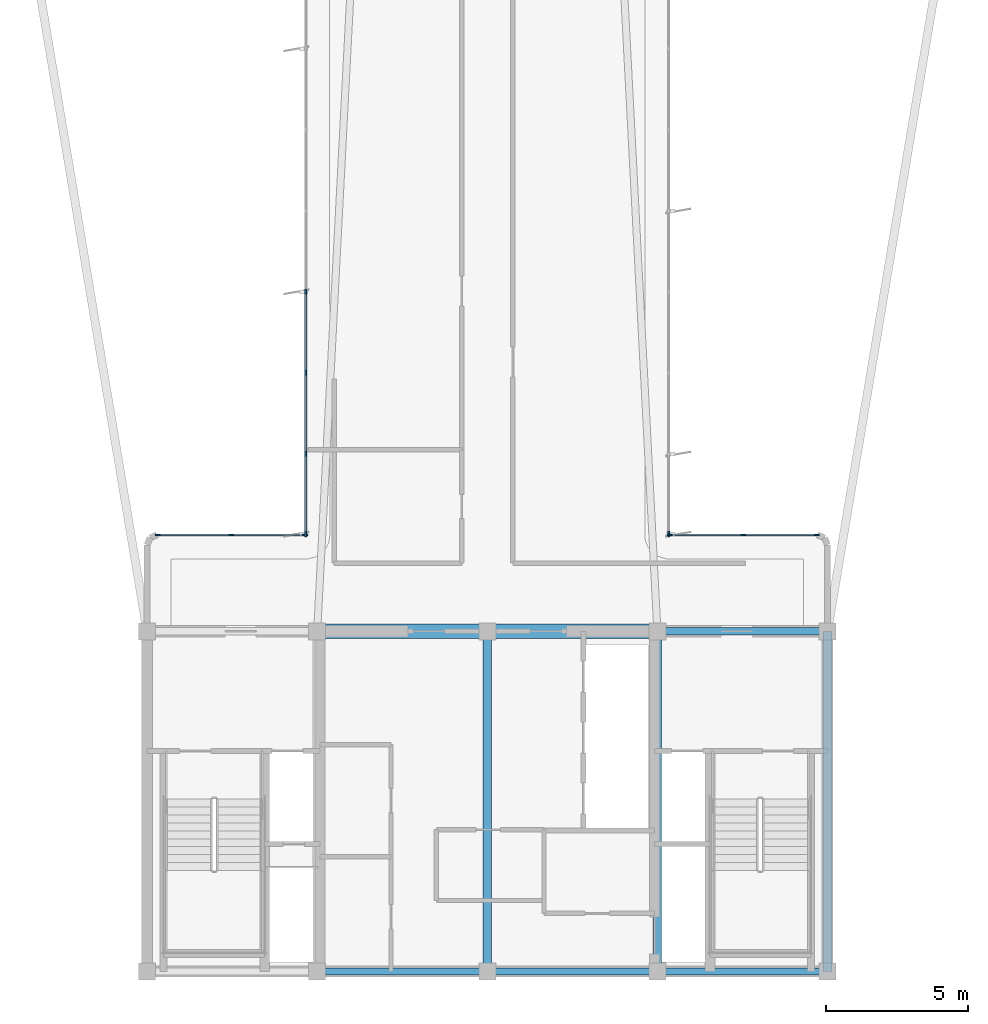
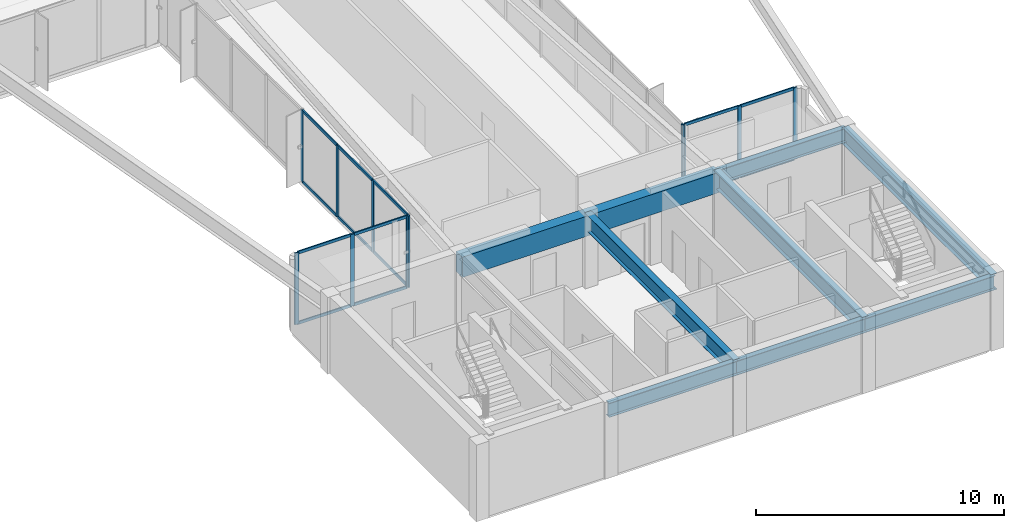
# One storey, part 2 of 15: 25 members, 8 beams, 4 elements without a shape of their own.
"""IFC4 building model written with IfcOpenShell, lengths in metres."""

from ifc_helpers import new_model, si_unit, direction, frame, origin, origin_2d, place, context, subcontext, project, spatial, rectangle, i_section, extrude, source, transform, mapped, material, layer, layer_set, material_profile, profile_set, type_object, element, aggregate, save


model = new_model("IFC4")

# Units and contexts
model_context = context("Model", 3, precision=1e-05, world=origin(), true_north=direction((0.0, 1.0)))
body_context = subcontext(model_context, "Body", "Model", "MODEL_VIEW")
ifc_project = project(units=[si_unit("LENGTHUNIT", "METRE"), si_unit("AREAUNIT", "SQUARE_METRE"), si_unit("VOLUMEUNIT", "CUBIC_METRE"), si_unit("PLANEANGLEUNIT", "RADIAN"), si_unit("MASSUNIT", "GRAM", prefix="KILO")], contexts=[model_context])

# Site, building, storey
site_placement = place(None, origin())
site = spatial("IfcSite", under=ifc_project, at=site_placement, CompositionType="ELEMENT")
building_placement = place(site_placement, origin())
building = spatial("IfcBuilding", under=site, at=building_placement, Name="Brelvock Crest Care Tower", CompositionType="ELEMENT")
storey_placement = place(building_placement, frame((0.0, 0.0, 279.719970703125)))
storey = spatial("IfcBuildingStorey", under=building, at=storey_placement, Name="L71", CompositionType="ELEMENT", Elevation=279.719970703125)

# Beams
ifc_material_1 = material(Name="Steel Grade 350", Category="steel")
ifc_material_profile_1 = material_profile(ifc_material_1, i_section(OverallWidth=0.25, OverallDepth=0.699951171875, WebThickness=0.011962890625, FlangeThickness=0.02001953125, at=origin_2d()), Name="700WB150")
ifc_profile_set_1 = profile_set([ifc_material_profile_1], Name="Steel Grade 350")
beam_type_1 = type_object("IfcBeamType", Name="BM-G4", PredefinedType="BEAM", material=ifc_profile_set_1)
shared_shape_1 = source(origin(), body_context, "Body", "SweptSolid", [
    extrude(i_section(OverallWidth=0.25, OverallDepth=0.699951171875, WebThickness=0.011962890625, FlangeThickness=0.02001953125, at=origin_2d()), origin(), (0.0, 0.0, 1.0), 6.0),
])
for number, where, z_axis, x_axis, name in (
    (1, (30.0, 6.0, 3.179931640625), (1.0, 0.0, 0.0), (0.0, 1.0, 0.0), "BM-CORES-L71-2"),
    (2, (36.0, 6.0, 3.179931640625), (1.0, 0.0, 0.0), (0.0, 1.0, 0.0), "BM-CORES-L71-3"),
    (3, (42.0, 6.0, 3.179931640625), (1.0, 0.0, 0.0), (0.0, 1.0, 0.0), "BM-CORES-L71-4"),
    (4, (42.0, 18.0, 3.179931640625), (1.0, 0.0, 0.0), (0.0, 1.0, 0.0), "BM-COREN-L71-4"),
):
    element("IfcBeam", number, at=place(storey_placement, frame(where, z_axis=z_axis, x_axis=x_axis)), inside=storey, type_object=beam_type_1, Name=name, PredefinedType="BEAM", context=body_context, shape_type="MappedRepresentation", body=[
        mapped(shared_shape_1, transform((0.0, 0.0, 0.0), x_axis=(1.0, 0.0, 0.0), y_axis=(0.0, 1.0, 0.0), z_axis=(0.0, 0.0, 1.0), scale=1.0)),
    ])
ifc_material_profile_2 = material_profile(ifc_material_1, i_section(OverallWidth=0.300048828125, OverallDepth=0.800048828125, WebThickness=0.013916015625, FlangeThickness=0.02197265625, at=origin_2d()), Name="800WB192")
ifc_profile_set_2 = profile_set([ifc_material_profile_2], Name="Steel Grade 350")
beam_type_2 = type_object("IfcBeamType", Name="BM-G5", PredefinedType="BEAM", material=ifc_profile_set_2)
shared_shape_2 = source(origin(), body_context, "Body", "SweptSolid", [
    extrude(i_section(OverallWidth=0.300048828125, OverallDepth=0.800048828125, WebThickness=0.013916015625, FlangeThickness=0.02197265625, at=origin_2d()), origin(), (0.0, 0.0, 1.0), 12.0),
])
for number, where, z_axis, x_axis, name in (
    (5, (36.0, 6.0, 3.130126953125), (0.0, 1.0, 0.0), (-1.0, 0.0, 0.0), "BM-COREX-L71-3"),
    (6, (42.0, 6.0, 3.130126953125), (0.0, 1.0, 0.0), (-1.0, 0.0, 0.0), "BM-COREX-L71-4"),
    (7, (48.0, 6.0, 3.130126953125), (0.0, 1.0, 0.0), (-1.0, 0.0, 0.0), "BM-COREX-L71-5"),
):
    element("IfcBeam", number, at=place(storey_placement, frame(where, z_axis=z_axis, x_axis=x_axis)), inside=storey, type_object=beam_type_2, Name=name, PredefinedType="BEAM", context=body_context, shape_type="MappedRepresentation", body=[
        mapped(shared_shape_2, transform((0.0, 0.0, 0.0), x_axis=(1.0, 0.0, 0.0), y_axis=(0.0, 1.0, 0.0), z_axis=(0.0, 0.0, 1.0), scale=1.0)),
    ])
ifc_material_2 = material(Name="Concrete S65 (65 MPa)", Category="concrete")
ifc_material_profile_3 = material_profile(ifc_material_2, rectangle(XDim=0.5, YDim=1.0, at=origin_2d()), Name="RC500x1000")
ifc_profile_set_3 = profile_set([ifc_material_profile_3], Name="Concrete S65 (65 MPa)")
beam_type_3 = type_object("IfcBeamType", Name="BM-LN2", PredefinedType="LINTEL", material=ifc_profile_set_3)
shared_shape_3 = source(origin(), body_context, "Body", "SweptSolid", [
    extrude(rectangle(XDim=0.5, YDim=1.0, at=origin_2d()), origin(), (0.0, 0.0, 1.0), 12.0),
])
beam_placement = place(storey_placement, frame((30.0, 18.0, 3.030029296875), z_axis=(1.0, 0.0, 0.0), x_axis=(0.0, 1.0, 0.0)))
element("IfcBeam", 8, at=beam_placement, inside=storey, type_object=beam_type_3, Name="L71 Core Coupling Lintel Beam", PredefinedType="LINTEL", context=body_context, shape_type="MappedRepresentation", body=[
    mapped(shared_shape_3, transform((0.0, 0.0, 0.0), x_axis=(1.0, 0.0, 0.0), y_axis=(0.0, 1.0, 0.0), z_axis=(0.0, 0.0, 1.0), scale=1.0)),
])

# Curtain wall, members
ifc_material_3 = material(Name="Dark Glass Double Glazed Low-E", Category="glass")
ifc_layer = layer(ifc_material_3, 0.239990234375, Name="CWS-5")
ifc_layer_set = layer_set([ifc_layer], Name="Dark Glass Double Glazed Low-E")
curtain_wall_type = type_object("IfcCurtainWallType", Name="CWS-5", PredefinedType="NOTDEFINED", material=ifc_layer_set)
curtain_wall_1_placement = place(storey_placement, origin())
curtain_wall_1 = element("IfcCurtainWall", 9, at=curtain_wall_1_placement, inside=storey, type_object=curtain_wall_type, Name="L71 Curtain Wall E10", PredefinedType="NOTDEFINED")
ifc_material_4 = material(Name="Aluminium 6063-T6", Category="aluminium")
ifc_material_profile_4 = material_profile(ifc_material_4, rectangle(XDim=0.06005859375, YDim=0.179931640625, at=origin_2d()), Name="ALU60x180")
ifc_profile_set_4 = profile_set([ifc_material_profile_4], Name="Aluminium 6063-T6")
member_type_1 = type_object("IfcMemberType", Name="CWM-2", PredefinedType="MULLION", material=ifc_profile_set_4)
shared_shape_4 = source(origin(), body_context, "Body", "SweptSolid", [
    extrude(rectangle(XDim=0.06005859375, YDim=0.179931640625, at=origin_2d()), origin(), (0.0, 0.0, 1.0), 3.530029296875),
])
member_1_placement = place(storey_placement, frame((24.3798828125, 21.39990234375, 0.0), z_axis=(0.0, 0.0, 1.0), x_axis=(0.0, 1.0, 0.0)))
member_1 = element("IfcMember", 10, at=member_1_placement, type_object=member_type_1, Name="CW-5 mullion 1", PredefinedType="MULLION", context=body_context, shape_type="MappedRepresentation", body=[
    mapped(shared_shape_4, transform((0.0, 0.0, 0.0), x_axis=(1.0, 0.0, 0.0), y_axis=(0.0, 1.0, 0.0), z_axis=(0.0, 0.0, 1.0), scale=1.0)),
])
member_2_placement = place(storey_placement, frame((26.97509765625, 21.39990234375, 0.0), z_axis=(0.0, 0.0, 1.0), x_axis=(0.0, 1.0, 0.0)))
member_2 = element("IfcMember", 11, at=member_2_placement, type_object=member_type_1, Name="CW-5 mullion 2", PredefinedType="MULLION", context=body_context, shape_type="MappedRepresentation", body=[
    mapped(shared_shape_4, transform((0.0, 0.0, 0.0), x_axis=(1.0, 0.0, 0.0), y_axis=(0.0, 1.0, 0.0), z_axis=(0.0, 0.0, 1.0), scale=1.0)),
])
member_3_placement = place(storey_placement, frame((29.570068359375, 21.39990234375, 0.0), z_axis=(0.0, 0.0, 1.0), x_axis=(0.0, 1.0, 0.0)))
member_3 = element("IfcMember", 12, at=member_3_placement, type_object=member_type_1, Name="CW-5 mullion 3", PredefinedType="MULLION", context=body_context, shape_type="MappedRepresentation", body=[
    mapped(shared_shape_4, transform((0.0, 0.0, 0.0), x_axis=(1.0, 0.0, 0.0), y_axis=(0.0, 1.0, 0.0), z_axis=(0.0, 0.0, 1.0), scale=1.0)),
])

curtain_wall_2_placement = place(storey_placement, origin())
curtain_wall_2 = element("IfcCurtainWall", 13, at=curtain_wall_2_placement, inside=storey, type_object=curtain_wall_type, Name="L71 Curtain Wall E11", PredefinedType="NOTDEFINED")
member_4_placement = place(storey_placement, frame((29.60009765625, 21.429931640625, 0.0), z_axis=(0.0, 0.0, 1.0), x_axis=(-1.0, 0.0, 0.0)))
member_4 = element("IfcMember", 14, at=member_4_placement, type_object=member_type_1, Name="CW-5 mullion 1", PredefinedType="MULLION", context=body_context, shape_type="MappedRepresentation", body=[
    mapped(shared_shape_4, transform((0.0, 0.0, 0.0), x_axis=(1.0, 0.0, 0.0), y_axis=(0.0, 1.0, 0.0), z_axis=(0.0, 0.0, 1.0), scale=1.0)),
])
member_5_placement = place(storey_placement, frame((29.60009765625, 24.257080078125, 0.0), z_axis=(0.0, 0.0, 1.0), x_axis=(-1.0, 0.0, 0.0)))
member_5 = element("IfcMember", 15, at=member_5_placement, type_object=member_type_1, Name="CW-5 mullion 2", PredefinedType="MULLION", context=body_context, shape_type="MappedRepresentation", body=[
    mapped(shared_shape_4, transform((0.0, 0.0, 0.0), x_axis=(1.0, 0.0, 0.0), y_axis=(0.0, 1.0, 0.0), z_axis=(0.0, 0.0, 1.0), scale=1.0)),
])
member_6_placement = place(storey_placement, frame((29.60009765625, 27.1142578125, 0.0), z_axis=(0.0, 0.0, 1.0), x_axis=(-1.0, 0.0, 0.0)))
member_6 = element("IfcMember", 16, at=member_6_placement, type_object=member_type_1, Name="CW-5 mullion 3", PredefinedType="MULLION", context=body_context, shape_type="MappedRepresentation", body=[
    mapped(shared_shape_4, transform((0.0, 0.0, 0.0), x_axis=(1.0, 0.0, 0.0), y_axis=(0.0, 1.0, 0.0), z_axis=(0.0, 0.0, 1.0), scale=1.0)),
])
member_7_placement = place(storey_placement, frame((29.60009765625, 29.971435546875, 0.0), z_axis=(0.0, 0.0, 1.0), x_axis=(-1.0, 0.0, 0.0)))
member_7 = element("IfcMember", 17, at=member_7_placement, type_object=member_type_1, Name="CW-5 mullion 4", PredefinedType="MULLION", context=body_context, shape_type="MappedRepresentation", body=[
    mapped(shared_shape_4, transform((0.0, 0.0, 0.0), x_axis=(1.0, 0.0, 0.0), y_axis=(0.0, 1.0, 0.0), z_axis=(0.0, 0.0, 1.0), scale=1.0)),
])

# Curtain wall, member
curtain_wall_3_placement = place(storey_placement, origin())
curtain_wall_3 = element("IfcCurtainWall", 18, at=curtain_wall_3_placement, inside=storey, type_object=curtain_wall_type, Name="L71 Curtain Wall E45", PredefinedType="NOTDEFINED")
member_8_placement = place(storey_placement, frame((42.39990234375, 21.429931640625, 0.0), z_axis=(0.0, 0.0, 1.0), x_axis=(1.0, 0.0, 0.0)))
member_8 = element("IfcMember", 19, at=member_8_placement, type_object=member_type_1, Name="CW-5 mullion 8", PredefinedType="MULLION", context=body_context, shape_type="MappedRepresentation", body=[
    mapped(shared_shape_4, transform((0.0, 0.0, 0.0), x_axis=(1.0, 0.0, 0.0), y_axis=(0.0, 1.0, 0.0), z_axis=(0.0, 0.0, 1.0), scale=1.0)),
])
aggregate(curtain_wall_3, [member_8])

# Curtain wall, members
curtain_wall_4_placement = place(storey_placement, origin())
curtain_wall_4 = element("IfcCurtainWall", 20, at=curtain_wall_4_placement, inside=storey, type_object=curtain_wall_type, Name="L71 Curtain Wall E46", PredefinedType="NOTDEFINED")
member_9_placement = place(storey_placement, frame((42.429931640625, 21.39990234375, 0.0), z_axis=(0.0, 0.0, 1.0), x_axis=(0.0, 1.0, 0.0)))
member_9 = element("IfcMember", 21, at=member_9_placement, type_object=member_type_1, Name="CW-5 mullion 1", PredefinedType="MULLION", context=body_context, shape_type="MappedRepresentation", body=[
    mapped(shared_shape_4, transform((0.0, 0.0, 0.0), x_axis=(1.0, 0.0, 0.0), y_axis=(0.0, 1.0, 0.0), z_axis=(0.0, 0.0, 1.0), scale=1.0)),
])
member_10_placement = place(storey_placement, frame((45.02490234375, 21.39990234375, 0.0), z_axis=(0.0, 0.0, 1.0), x_axis=(0.0, 1.0, 0.0)))
member_10 = element("IfcMember", 22, at=member_10_placement, type_object=member_type_1, Name="CW-5 mullion 2", PredefinedType="MULLION", context=body_context, shape_type="MappedRepresentation", body=[
    mapped(shared_shape_4, transform((0.0, 0.0, 0.0), x_axis=(1.0, 0.0, 0.0), y_axis=(0.0, 1.0, 0.0), z_axis=(0.0, 0.0, 1.0), scale=1.0)),
])
member_11_placement = place(storey_placement, frame((47.6201171875, 21.39990234375, 0.0), z_axis=(0.0, 0.0, 1.0), x_axis=(0.0, 1.0, 0.0)))
member_11 = element("IfcMember", 23, at=member_11_placement, type_object=member_type_1, Name="CW-5 mullion 3", PredefinedType="MULLION", context=body_context, shape_type="MappedRepresentation", body=[
    mapped(shared_shape_4, transform((0.0, 0.0, 0.0), x_axis=(1.0, 0.0, 0.0), y_axis=(0.0, 1.0, 0.0), z_axis=(0.0, 0.0, 1.0), scale=1.0)),
])

# Member
ifc_material_profile_5 = material_profile(ifc_material_4, rectangle(XDim=0.06005859375, YDim=0.139892578125, at=origin_2d()), Name="ALU60x140")
ifc_profile_set_5 = profile_set([ifc_material_profile_5], Name="Aluminium 6063-T6")
member_type_2 = type_object("IfcMemberType", Name="CWT-2", PredefinedType="USERDEFINED", material=ifc_profile_set_5)
shared_shape_5 = source(origin(), body_context, "Body", "SweptSolid", [
    extrude(rectangle(XDim=0.06005859375, YDim=0.139892578125, at=origin_2d()), origin(), (0.0, 0.0, 1.0), 2.53515625),
])
member_12_placement = place(storey_placement, frame((24.409912109375, 21.39990234375, 0.030029296875), z_axis=(1.0, 0.0, 0.0), x_axis=(0.0, 1.0, 0.0)))
member_12 = element("IfcMember", 24, at=member_12_placement, type_object=member_type_2, Name="CW-5 transom 1.1", ObjectType="TRANSOM", PredefinedType="USERDEFINED", context=body_context, shape_type="MappedRepresentation", body=[
    mapped(shared_shape_5, transform((0.0, 0.0, 0.0), x_axis=(1.0, 0.0, 0.0), y_axis=(0.0, 1.0, 0.0), z_axis=(0.0, 0.0, 1.0), scale=1.0)),
])

member_13_placement = place(storey_placement, frame((24.409912109375, 21.39990234375, 3.5), z_axis=(1.0, 0.0, 0.0), x_axis=(0.0, 1.0, 0.0)))
member_13 = element("IfcMember", 25, at=member_13_placement, type_object=member_type_2, Name="CW-5 transom 1.2", ObjectType="TRANSOM", PredefinedType="USERDEFINED", context=body_context, shape_type="MappedRepresentation", body=[
    mapped(shared_shape_5, transform((0.0, 0.0, 0.0), x_axis=(1.0, 0.0, 0.0), y_axis=(0.0, 1.0, 0.0), z_axis=(0.0, 0.0, 1.0), scale=1.0)),
])

member_14_placement = place(storey_placement, frame((27.0048828125, 21.39990234375, 0.030029296875), z_axis=(1.0, 0.0, 0.0), x_axis=(0.0, 1.0, 0.0)))
member_14 = element("IfcMember", 26, at=member_14_placement, type_object=member_type_2, Name="CW-5 transom 2.1", ObjectType="TRANSOM", PredefinedType="USERDEFINED", context=body_context, shape_type="MappedRepresentation", body=[
    mapped(shared_shape_5, transform((0.0, 0.0, 0.0), x_axis=(1.0, 0.0, 0.0), y_axis=(0.0, 1.0, 0.0), z_axis=(0.0, 0.0, 1.0), scale=1.0)),
])

member_15_placement = place(storey_placement, frame((27.0048828125, 21.39990234375, 3.5), z_axis=(1.0, 0.0, 0.0), x_axis=(0.0, 1.0, 0.0)))
member_15 = element("IfcMember", 27, at=member_15_placement, type_object=member_type_2, Name="CW-5 transom 2.2", ObjectType="TRANSOM", PredefinedType="USERDEFINED", context=body_context, shape_type="MappedRepresentation", body=[
    mapped(shared_shape_5, transform((0.0, 0.0, 0.0), x_axis=(1.0, 0.0, 0.0), y_axis=(0.0, 1.0, 0.0), z_axis=(0.0, 0.0, 1.0), scale=1.0)),
])

aggregate(curtain_wall_1, [member_1, member_2, member_3, member_12, member_13, member_14, member_15])

member_16_placement = place(storey_placement, frame((42.4599609375, 21.39990234375, 0.030029296875), z_axis=(1.0, 0.0, 0.0), x_axis=(0.0, 1.0, 0.0)))
member_16 = element("IfcMember", 28, at=member_16_placement, type_object=member_type_2, Name="CW-5 transom 1.1", ObjectType="TRANSOM", PredefinedType="USERDEFINED", context=body_context, shape_type="MappedRepresentation", body=[
    mapped(shared_shape_5, transform((0.0, 0.0, 0.0), x_axis=(1.0, 0.0, 0.0), y_axis=(0.0, 1.0, 0.0), z_axis=(0.0, 0.0, 1.0), scale=1.0)),
])

member_17_placement = place(storey_placement, frame((42.4599609375, 21.39990234375, 3.5), z_axis=(1.0, 0.0, 0.0), x_axis=(0.0, 1.0, 0.0)))
member_17 = element("IfcMember", 29, at=member_17_placement, type_object=member_type_2, Name="CW-5 transom 1.2", ObjectType="TRANSOM", PredefinedType="USERDEFINED", context=body_context, shape_type="MappedRepresentation", body=[
    mapped(shared_shape_5, transform((0.0, 0.0, 0.0), x_axis=(1.0, 0.0, 0.0), y_axis=(0.0, 1.0, 0.0), z_axis=(0.0, 0.0, 1.0), scale=1.0)),
])

member_18_placement = place(storey_placement, frame((45.054931640625, 21.39990234375, 0.030029296875), z_axis=(1.0, 0.0, 0.0), x_axis=(0.0, 1.0, 0.0)))
member_18 = element("IfcMember", 30, at=member_18_placement, type_object=member_type_2, Name="CW-5 transom 2.1", ObjectType="TRANSOM", PredefinedType="USERDEFINED", context=body_context, shape_type="MappedRepresentation", body=[
    mapped(shared_shape_5, transform((0.0, 0.0, 0.0), x_axis=(1.0, 0.0, 0.0), y_axis=(0.0, 1.0, 0.0), z_axis=(0.0, 0.0, 1.0), scale=1.0)),
])

member_19_placement = place(storey_placement, frame((45.054931640625, 21.39990234375, 3.5), z_axis=(1.0, 0.0, 0.0), x_axis=(0.0, 1.0, 0.0)))
member_19 = element("IfcMember", 31, at=member_19_placement, type_object=member_type_2, Name="CW-5 transom 2.2", ObjectType="TRANSOM", PredefinedType="USERDEFINED", context=body_context, shape_type="MappedRepresentation", body=[
    mapped(shared_shape_5, transform((0.0, 0.0, 0.0), x_axis=(1.0, 0.0, 0.0), y_axis=(0.0, 1.0, 0.0), z_axis=(0.0, 0.0, 1.0), scale=1.0)),
])

aggregate(curtain_wall_4, [member_9, member_10, member_11, member_16, member_17, member_18, member_19])

shared_shape_6 = source(origin(), body_context, "Body", "SweptSolid", [
    extrude(rectangle(XDim=0.06005859375, YDim=0.139892578125, at=origin_2d()), origin(), (0.0, 0.0, 1.0), 2.76708984375),
])
member_20_placement = place(storey_placement, frame((29.60009765625, 21.4599609375, 0.030029296875), z_axis=(0.0, 1.0, 0.0), x_axis=(-1.0, 0.0, 0.0)))
member_20 = element("IfcMember", 32, at=member_20_placement, type_object=member_type_2, Name="CW-5 transom 1.1", ObjectType="TRANSOM", PredefinedType="USERDEFINED", context=body_context, shape_type="MappedRepresentation", body=[
    mapped(shared_shape_6, transform((0.0, 0.0, 0.0), x_axis=(1.0, 0.0, 0.0), y_axis=(0.0, 1.0, 0.0), z_axis=(0.0, 0.0, 1.0), scale=1.0)),
])

member_21_placement = place(storey_placement, frame((29.60009765625, 21.4599609375, 3.5), z_axis=(0.0, 1.0, 0.0), x_axis=(-1.0, 0.0, 0.0)))
member_21 = element("IfcMember", 33, at=member_21_placement, type_object=member_type_2, Name="CW-5 transom 1.2", ObjectType="TRANSOM", PredefinedType="USERDEFINED", context=body_context, shape_type="MappedRepresentation", body=[
    mapped(shared_shape_6, transform((0.0, 0.0, 0.0), x_axis=(1.0, 0.0, 0.0), y_axis=(0.0, 1.0, 0.0), z_axis=(0.0, 0.0, 1.0), scale=1.0)),
])

shared_shape_7 = source(origin(), body_context, "Body", "SweptSolid", [
    extrude(rectangle(XDim=0.06005859375, YDim=0.139892578125, at=origin_2d()), origin(), (0.0, 0.0, 1.0), 2.797119140625),
])
member_22_placement = place(storey_placement, frame((29.60009765625, 24.287109375, 0.030029296875), z_axis=(0.0, 1.0, 0.0), x_axis=(-1.0, 0.0, 0.0)))
member_22 = element("IfcMember", 34, at=member_22_placement, type_object=member_type_2, Name="CW-5 transom 2.1", ObjectType="TRANSOM", PredefinedType="USERDEFINED", context=body_context, shape_type="MappedRepresentation", body=[
    mapped(shared_shape_7, transform((0.0, 0.0, 0.0), x_axis=(1.0, 0.0, 0.0), y_axis=(0.0, 1.0, 0.0), z_axis=(0.0, 0.0, 1.0), scale=1.0)),
])

member_23_placement = place(storey_placement, frame((29.60009765625, 24.287109375, 3.5), z_axis=(0.0, 1.0, 0.0), x_axis=(-1.0, 0.0, 0.0)))
member_23 = element("IfcMember", 35, at=member_23_placement, type_object=member_type_2, Name="CW-5 transom 2.2", ObjectType="TRANSOM", PredefinedType="USERDEFINED", context=body_context, shape_type="MappedRepresentation", body=[
    mapped(shared_shape_7, transform((0.0, 0.0, 0.0), x_axis=(1.0, 0.0, 0.0), y_axis=(0.0, 1.0, 0.0), z_axis=(0.0, 0.0, 1.0), scale=1.0)),
])

member_24_placement = place(storey_placement, frame((29.60009765625, 27.144287109375, 0.030029296875), z_axis=(0.0, 1.0, 0.0), x_axis=(-1.0, 0.0, 0.0)))
member_24 = element("IfcMember", 36, at=member_24_placement, type_object=member_type_2, Name="CW-5 transom 3.1", ObjectType="TRANSOM", PredefinedType="USERDEFINED", context=body_context, shape_type="MappedRepresentation", body=[
    mapped(shared_shape_7, transform((0.0, 0.0, 0.0), x_axis=(1.0, 0.0, 0.0), y_axis=(0.0, 1.0, 0.0), z_axis=(0.0, 0.0, 1.0), scale=1.0)),
])

member_25_placement = place(storey_placement, frame((29.60009765625, 27.144287109375, 3.5), z_axis=(0.0, 1.0, 0.0), x_axis=(-1.0, 0.0, 0.0)))
member_25 = element("IfcMember", 37, at=member_25_placement, type_object=member_type_2, Name="CW-5 transom 3.2", ObjectType="TRANSOM", PredefinedType="USERDEFINED", context=body_context, shape_type="MappedRepresentation", body=[
    mapped(shared_shape_7, transform((0.0, 0.0, 0.0), x_axis=(1.0, 0.0, 0.0), y_axis=(0.0, 1.0, 0.0), z_axis=(0.0, 0.0, 1.0), scale=1.0)),
])

aggregate(curtain_wall_2, [member_4, member_5, member_6, member_7, member_20, member_21, member_22, member_23, member_24, member_25])

save(model, "model.ifc")
